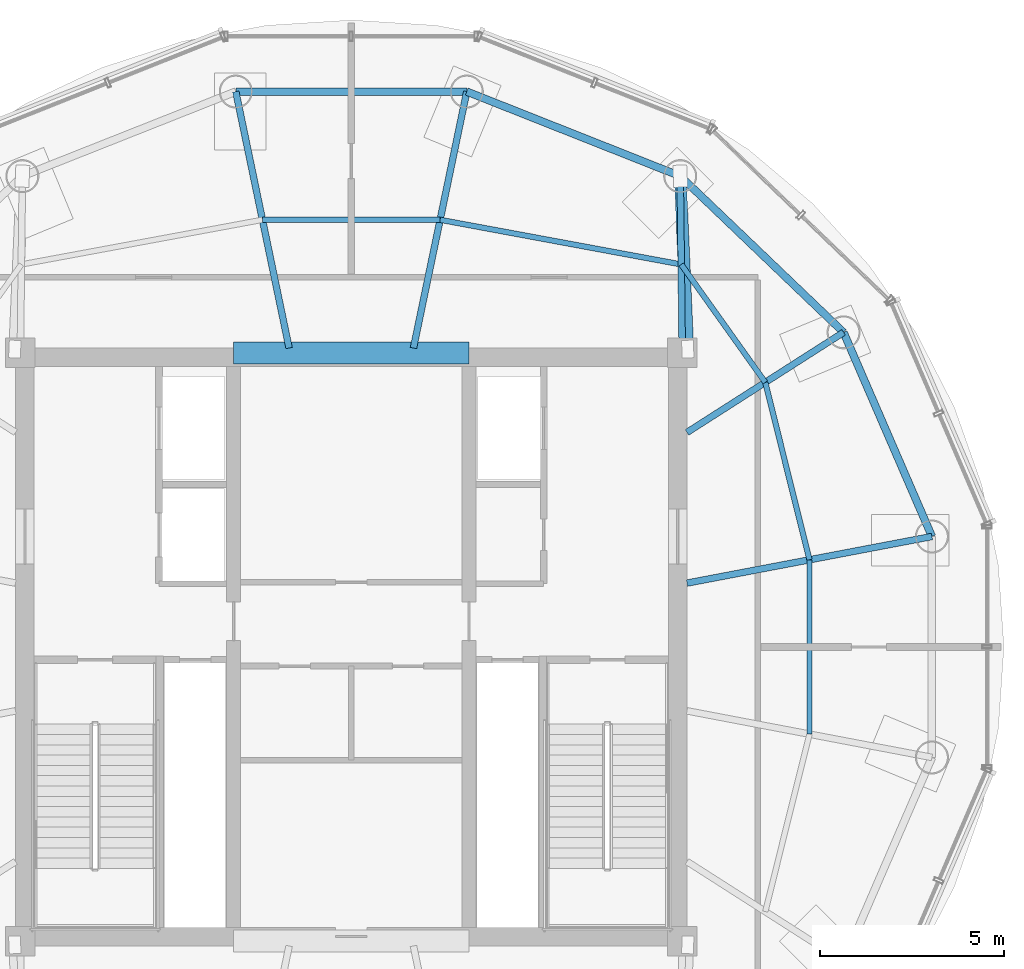
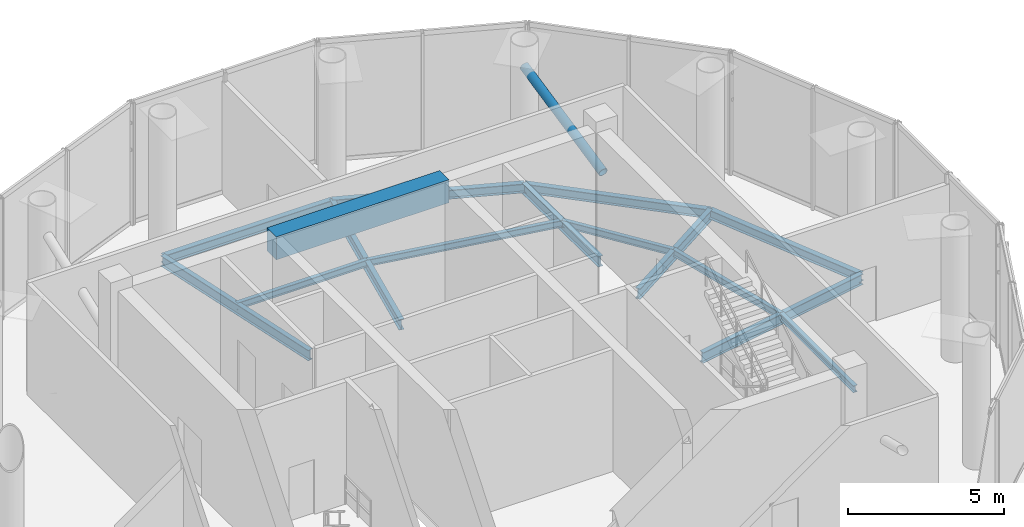
# One storey, part 7 of 15: 15 beams, 1 member.
"""IFC4 building model written with IfcOpenShell, lengths in metres."""

from ifc_helpers import new_model, si_unit, direction, frame, origin, origin_2d, place, context, subcontext, project, spatial, rectangle, hollow_circle, i_section, extrude, source, transform, mapped, material, material_profile, profile_set, type_object, element, save


model = new_model("IFC4")

# Units and contexts
model_context = context("Model", 3, precision=1e-05, world=origin(), true_north=direction((-0.2419218956, 0.970295726276)))
body_context = subcontext(model_context, "Body", "Model", "MODEL_VIEW")
ifc_project = project(units=[si_unit("LENGTHUNIT", "METRE"), si_unit("AREAUNIT", "SQUARE_METRE"), si_unit("VOLUMEUNIT", "CUBIC_METRE"), si_unit("PLANEANGLEUNIT", "RADIAN"), si_unit("MASSUNIT", "GRAM", prefix="KILO")], contexts=[model_context])

# Site, building, storey
site_placement = place(None, origin())
site = spatial("IfcSite", under=ifc_project, at=site_placement, CompositionType="ELEMENT")
building_placement = place(site_placement, origin())
building = spatial("IfcBuilding", under=site, at=building_placement, Name="Cobrevalo Terracotta Tower", CompositionType="ELEMENT")
storey_placement = place(building_placement, frame((0.0, 0.0, 316.5)))
storey = spatial("IfcBuildingStorey", under=building, at=storey_placement, Name="L82", CompositionType="ELEMENT", Elevation=316.5)

# Beams
ifc_material_1 = material(Name="Concrete C60", Category="concrete")
ifc_material_profile_1 = material_profile(ifc_material_1, rectangle(XDim=0.60009765625, YDim=0.89990234375, at=origin_2d()), Name="RC CB 600x900")
ifc_profile_set_1 = profile_set([ifc_material_profile_1], Name="Concrete C60")
beam_type_1 = type_object("IfcBeamType", Name="Structural Beam RC CB 600x900 (Concrete C60)", PredefinedType="BEAM", material=ifc_profile_set_1)
beam_1_placement = place(storey_placement, frame((34.800048828125, 34.800048828125, 4.330078125), z_axis=(1.0, 0.0, 0.0), x_axis=(0.0, 1.0, 0.0)))
element("IfcBeam", 1, at=beam_1_placement, inside=storey, type_object=beam_type_1, Name="L82 core coupling beam 2", PredefinedType="BEAM", context=body_context, shape_type="SweptSolid", body=[
    extrude(rectangle(XDim=0.60009765625, YDim=0.89990234375, at=origin_2d()), origin(), (0.0, 0.0, 1.0), 6.39990234375),
])
ifc_material_2 = material(Name="Steel S355", Category="steel")
ifc_material_profile_2 = material_profile(ifc_material_2, i_section(OverallWidth=0.179931640625, OverallDepth=0.4130859375, WebThickness=0.009765625, FlangeThickness=0.01611328125, at=origin_2d()), Name="W 410x75")
ifc_profile_set_2 = profile_set([ifc_material_profile_2], Name="Steel S355")
beam_type_2 = type_object("IfcBeamType", Name="Structural Beam W 410x75 (Steel S355)", PredefinedType="BEAM", material=ifc_profile_set_2)
beam_2_placement = place(storey_placement, frame((53.79052734375, 29.804443359375, -0.62646484375), z_axis=(-0.982375422254, -0.186918510993, 0.0), x_axis=(0.186918510993, -0.982375422254, 0.0)))
element("IfcBeam", 2, at=beam_2_placement, inside=storey, type_object=beam_type_2, Name="L82 radial floor girder 01", PredefinedType="BEAM", context=body_context, shape_type="SweptSolid", body=[
    extrude(i_section(OverallWidth=0.179931640625, OverallDepth=0.4130859375, WebThickness=0.009765625, FlangeThickness=0.01611328125, at=origin_2d()), origin(), (0.0, 0.0, 1.0), 6.780029296875),
])
beam_3_placement = place(storey_placement, frame((51.38671875, 35.355712890625, -0.62646484375), z_axis=(-0.842623166291, -0.538503667239, 0.0), x_axis=(0.538503667239, -0.842623166291, 0.0)))
element("IfcBeam", 3, at=beam_3_placement, inside=storey, type_object=beam_type_2, Name="L82 radial floor girder 02", PredefinedType="BEAM", context=body_context, shape_type="SweptSolid", body=[
    extrude(i_section(OverallWidth=0.179931640625, OverallDepth=0.4130859375, WebThickness=0.009765625, FlangeThickness=0.01611328125, at=origin_2d()), origin(), (0.0, 0.0, 1.0), 5.052001953125),
])
beam_4_placement = place(storey_placement, frame((46.944580078125, 39.604736328125, -0.62646484375), z_axis=(0.01153378561, -0.999933483683, 0.0), x_axis=(0.999933483683, 0.01153378561, 0.0)))
element("IfcBeam", 4, at=beam_4_placement, inside=storey, type_object=beam_type_2, Name="L82 radial floor girder 03", PredefinedType="BEAM", context=body_context, shape_type="SweptSolid", body=[
    extrude(i_section(OverallWidth=0.179931640625, OverallDepth=0.4130859375, WebThickness=0.009765625, FlangeThickness=0.01611328125, at=origin_2d()), origin(), (0.0, 0.0, 1.0), 4.804931640625),
])
for number, where, z_axis, x_axis, name in (
    (5, (41.140869140625, 41.904052734375, -0.62646484375), (-0.203584701476, -0.979057337098, 0.0), (0.979057337098, -0.203584701476, 0.0), "L82 radial floor girder 04"),
    (6, (34.859130859375, 41.904052734375, -0.62646484375), (0.203584701476, -0.979057337098, 0.0), (0.979057337098, 0.203584701476, 0.0), "L82 radial floor girder 05"),
):
    element("IfcBeam", number, at=place(storey_placement, frame(where, z_axis=z_axis, x_axis=x_axis)), inside=storey, type_object=beam_type_2, Name=name, PredefinedType="BEAM", context=body_context, shape_type="SweptSolid", body=[
        extrude(i_section(OverallWidth=0.179931640625, OverallDepth=0.4130859375, WebThickness=0.009765625, FlangeThickness=0.01611328125, at=origin_2d()), origin(), (0.0, 0.0, 1.0), 7.123291015625),
    ])
ifc_material_profile_3 = material_profile(ifc_material_2, i_section(OverallWidth=0.14794921875, OverallDepth=0.26611328125, WebThickness=0.007568359375, FlangeThickness=0.012939453125, at=origin_2d()), Name="W 250x44.8")
ifc_profile_set_3 = profile_set([ifc_material_profile_3], Name="Steel S355")
beam_type_3 = type_object("IfcBeamType", Name="Structural Joist W 250x44.8 (Steel S355)", PredefinedType="JOIST", material=ifc_profile_set_3)
beam_5_placement = place(storey_placement, frame((50.460205078125, 29.170654296875, -0.552978515625), z_axis=(-0.241715293121, 0.970347214698, 0.0), x_axis=(-0.970347214698, -0.241715293121, 0.0)))
element("IfcBeam", 7, at=beam_5_placement, inside=storey, type_object=beam_type_3, Name="L82 circumferential secondary floor joist 01", PredefinedType="JOIST", context=body_context, shape_type="SweptSolid", body=[
    extrude(i_section(OverallWidth=0.14794921875, OverallDepth=0.26611328125, WebThickness=0.007568359375, FlangeThickness=0.012939453125, at=origin_2d()), origin(), (0.0, 0.0, 1.0), 4.972412109375),
])
beam_6_placement = place(storey_placement, frame((49.25830078125, 33.99560546875, -0.552978515625), z_axis=(-0.58045210377, 0.814294391009, 0.0), x_axis=(-0.814294391009, -0.58045210377, 0.0)))
element("IfcBeam", 8, at=beam_6_placement, inside=storey, type_object=beam_type_3, Name="L82 circumferential secondary floor joist 02", PredefinedType="JOIST", context=body_context, shape_type="SweptSolid", body=[
    extrude(i_section(OverallWidth=0.14794921875, OverallDepth=0.26611328125, WebThickness=0.007568359375, FlangeThickness=0.012939453125, at=origin_2d()), origin(), (0.0, 0.0, 1.0), 3.938232421875),
])
beam_7_placement = place(storey_placement, frame((46.972412109375, 37.202392578125, -0.552978515625), z_axis=(-0.98327107767, 0.182148257797, 0.0), x_axis=(-0.182148257797, -0.98327107767, 0.0)))
element("IfcBeam", 9, at=beam_7_placement, inside=storey, type_object=beam_type_3, Name="L82 circumferential secondary floor joist 03", PredefinedType="JOIST", context=body_context, shape_type="SweptSolid", body=[
    extrude(i_section(OverallWidth=0.14794921875, OverallDepth=0.26611328125, WebThickness=0.007568359375, FlangeThickness=0.012939453125, at=origin_2d()), origin(), (0.0, 0.0, 1.0), 6.668212890625),
])
beam_8_placement = place(storey_placement, frame((40.415771484375, 38.4169921875, -0.552978515625), z_axis=(-1.0, 0.0, 0.0), x_axis=(0.0, -1.0, 0.0)))
element("IfcBeam", 10, at=beam_8_placement, inside=storey, type_object=beam_type_3, Name="L82 circumferential secondary floor joist 04", PredefinedType="JOIST", context=body_context, shape_type="SweptSolid", body=[
    extrude(i_section(OverallWidth=0.14794921875, OverallDepth=0.26611328125, WebThickness=0.007568359375, FlangeThickness=0.012939453125, at=origin_2d()), origin(), (0.0, 0.0, 1.0), 4.83154296875),
])
beam_9_placement = place(storey_placement, frame((50.460205078125, 24.42919921875, -0.552978515625), z_axis=(0.0, 1.0, 0.0), x_axis=(-1.0, 0.0, 0.0)))
element("IfcBeam", 11, at=beam_9_placement, inside=storey, type_object=beam_type_3, Name="L82 circumferential secondary floor joist 16", PredefinedType="JOIST", context=body_context, shape_type="SweptSolid", body=[
    extrude(i_section(OverallWidth=0.14794921875, OverallDepth=0.26611328125, WebThickness=0.007568359375, FlangeThickness=0.012939453125, at=origin_2d()), origin(), (0.0, 0.0, 1.0), 4.741455078125),
])
ifc_material_profile_4 = material_profile(ifc_material_2, i_section(OverallWidth=0.205078125, OverallDepth=0.35400390625, WebThickness=0.009521484375, FlangeThickness=0.016845703125, at=origin_2d()), Name="W 360x79")
ifc_profile_set_4 = profile_set([ifc_material_profile_4], Name="Steel S355")
beam_type_4 = type_object("IfcBeamType", Name="Structural Spandrel W 360x79 (Steel S355)", PredefinedType="SPANDREL", material=ifc_profile_set_4)
beam_10_placement = place(storey_placement, frame((53.79052734375, 29.804443359375, -0.596923828125), z_axis=(-0.397365049134, 0.917660622304, 0.0), x_axis=(-0.917660622304, -0.397365049134, 0.0)))
element("IfcBeam", 12, at=beam_10_placement, inside=storey, type_object=beam_type_4, Name="L82 perimeter ring spandrel 01", PredefinedType="SPANDREL", context=body_context, shape_type="SweptSolid", body=[
    extrude(i_section(OverallWidth=0.205078125, OverallDepth=0.35400390625, WebThickness=0.009521484375, FlangeThickness=0.016845703125, at=origin_2d()), origin(), (0.0, 0.0, 1.0), 6.04931640625),
])
beam_11_placement = place(storey_placement, frame((51.38671875, 35.355712890625, -0.596923828125), z_axis=(-0.72264013205, 0.691224449475, 0.0), x_axis=(-0.691224449475, -0.72264013205, 0.0)))
element("IfcBeam", 13, at=beam_11_placement, inside=storey, type_object=beam_type_4, Name="L82 perimeter ring spandrel 02", PredefinedType="SPANDREL", context=body_context, shape_type="SweptSolid", body=[
    extrude(i_section(OverallWidth=0.205078125, OverallDepth=0.35400390625, WebThickness=0.009521484375, FlangeThickness=0.016845703125, at=origin_2d()), origin(), (0.0, 0.0, 1.0), 6.147216796875),
])
beam_12_placement = place(storey_placement, frame((46.944580078125, 39.604736328125, -0.596923828125), z_axis=(-0.929696156532, 0.368327376839, 0.0), x_axis=(-0.368327376839, -0.929696156532, 0.0)))
element("IfcBeam", 14, at=beam_12_placement, inside=storey, type_object=beam_type_4, Name="L82 perimeter ring spandrel 03", PredefinedType="SPANDREL", context=body_context, shape_type="SweptSolid", body=[
    extrude(i_section(OverallWidth=0.205078125, OverallDepth=0.35400390625, WebThickness=0.009521484375, FlangeThickness=0.016845703125, at=origin_2d()), origin(), (0.0, 0.0, 1.0), 6.24267578125),
])
beam_13_placement = place(storey_placement, frame((41.140869140625, 41.904052734375, -0.596923828125), z_axis=(-1.0, 0.0, 0.0), x_axis=(0.0, -1.0, 0.0)))
element("IfcBeam", 15, at=beam_13_placement, inside=storey, type_object=beam_type_4, Name="L82 perimeter ring spandrel 04", PredefinedType="SPANDREL", context=body_context, shape_type="SweptSolid", body=[
    extrude(i_section(OverallWidth=0.205078125, OverallDepth=0.35400390625, WebThickness=0.009521484375, FlangeThickness=0.016845703125, at=origin_2d()), origin(), (0.0, 0.0, 1.0), 6.28173828125),
])

# Member
ifc_material_profile_5 = material_profile(ifc_material_2, hollow_circle(Radius=0.162109375, WallThickness=0.013916015625, at=origin_2d()), Name="CHS 324x14")
ifc_profile_set_5 = profile_set([ifc_material_profile_5], Name="Steel S355")
member_type = type_object("IfcMemberType", Name="Steel Brace CHS 324x14 (Steel S355)", PredefinedType="BRACE", material=ifc_profile_set_5)
shared_shape = source(origin(), body_context, "Body", "SweptSolid", [
    extrude(hollow_circle(Radius=0.162109375, WallThickness=0.013916015625, at=origin_2d()), origin(), (0.0, 0.0, 1.0), 4.9072265625),
])
member_placement = place(storey_placement, frame((47.14990234375, 34.89990234375, 2.75), z_axis=(-0.041840080102, 0.958739814085, 0.281189218474), x_axis=(-0.999049102523, -0.043599205813, 0.0)))
element("IfcMember", 16, at=member_placement, inside=storey, type_object=member_type, Name="L82 CROWN FRAME radial brace 01", PredefinedType="BRACE", context=body_context, shape_type="MappedRepresentation", body=[
    mapped(shared_shape, transform((0.0, 0.0, 0.0), scale=1.0)),
])

save(model, "model.ifc")
